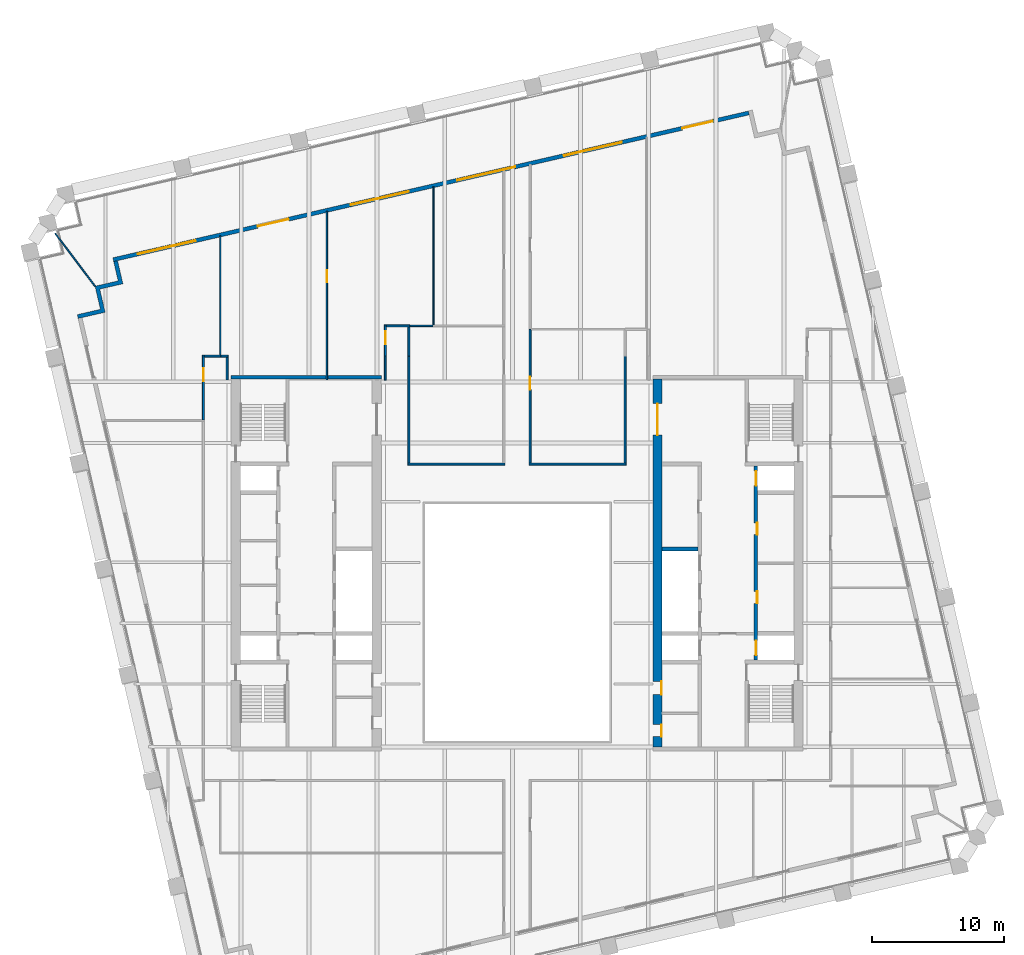
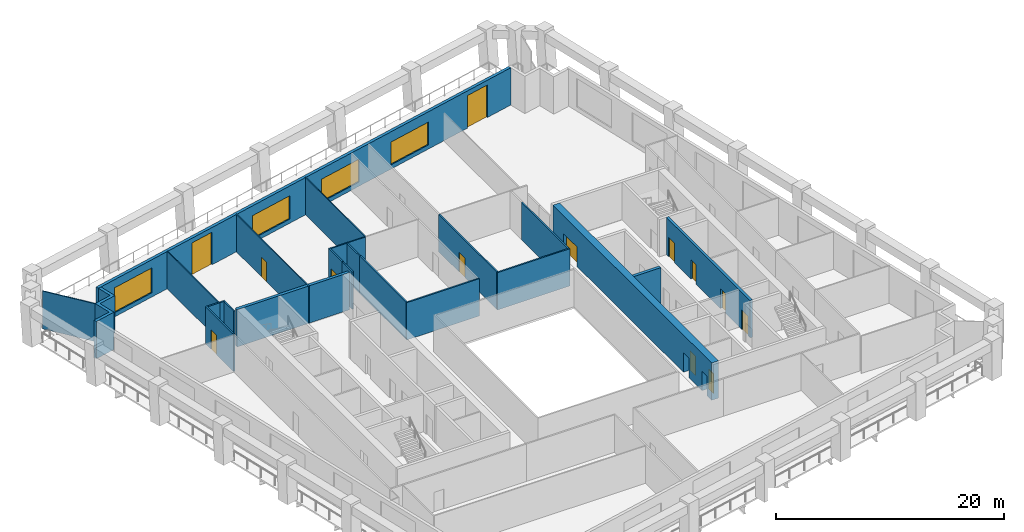
# One storey, part 6 of 10: 24 walls, 13 doors, 4 windows, 17 openings.
"""IFC4 building model written with IfcOpenShell, lengths in metres."""

from ifc_helpers import new_model, si_unit, direction, frame, frame_2d, origin, place, context, subcontext, project, spatial, polyline, rectangle, outline, extrude, material, layer, layer_set, type_object, element, fill, save


model = new_model("IFC4")

# Units and contexts
model_context = context("Model", 3, precision=1e-05, world=origin(), true_north=direction((0.0, 1.0)))
body_context = subcontext(model_context, "Body", "Model", "MODEL_VIEW")
ifc_project = project(units=[si_unit("LENGTHUNIT", "METRE"), si_unit("AREAUNIT", "SQUARE_METRE"), si_unit("VOLUMEUNIT", "CUBIC_METRE"), si_unit("PLANEANGLEUNIT", "RADIAN"), si_unit("MASSUNIT", "GRAM", prefix="KILO")], contexts=[model_context])

# Site, building, storey
site_placement = place(None, origin())
site = spatial("IfcSite", under=ifc_project, at=site_placement, CompositionType="ELEMENT")
building_placement = place(site_placement, origin())
building = spatial("IfcBuilding", under=site, at=building_placement, Name="Ogive Exchange Tower", CompositionType="ELEMENT")
storey_placement = place(building_placement, frame((0.0, 0.0, 201.0)))
storey = spatial("IfcBuildingStorey", under=building, at=storey_placement, Name="L44", CompositionType="ELEMENT", Elevation=201.0)

# Wall, opening, door
ifc_material_1 = material(Name="Fire partition EI 60 150")
ifc_layer_1 = layer(ifc_material_1, 0.14990234375)
ifc_layer_set_1 = layer_set([ifc_layer_1], Name="Fire partition EI 60 150")
wall_type_1 = type_object("IfcWallType", Name="Fire partition EI 60 150", PredefinedType="PARTITIONING", material=ifc_layer_set_1)
wall_1_placement = place(storey_placement, frame((-23.800048828125, 22.360107421875, 0.0), z_axis=(0.0, 0.0, 1.0), x_axis=(0.0, 1.0, 0.0)))
wall_1 = element("IfcWall", 1, at=wall_1_placement, inside=storey, type_object=wall_type_1, Name="L44-PWL-004", PredefinedType="PARTITIONING", context=body_context, shape_type="SweptSolid", body=[
    extrude(rectangle(XDim=4.914794921875, YDim=0.14990234375, at=frame_2d((2.45751953125, 0.0))), origin(), (0.0, 0.0, 1.0), 4.0),
])
opening_1_placement = place(wall_1_placement, frame((2.93994140625, 0.0, 0.0)))
opening_1 = element("IfcOpeningElement", 2, at=opening_1_placement, cuts=wall_1, Name="Opening L44-I06", PredefinedType="OPENING", context=body_context, shape_type="SweptSolid", body=[
    extrude(rectangle(XDim=1.0, YDim=2.10009765625, at=frame_2d((0.5, 1.050048828125))), frame((0.0, 0.0849609375, 0.0), z_axis=(0.0, -1.0, 0.0), x_axis=(1.0, 0.0, 0.0)), (0.0, 0.0, 1.0), 0.169921875),
])
ifc_material_2 = material(Name="Fire door FD 30S 1000 x 2100")
door_type_1 = type_object("IfcDoorType", Name="Fire door FD 30S 1000 x 2100", OperationType="NOTDEFINED", PredefinedType="DOOR", material=ifc_material_2)
door_1_placement = place(opening_1_placement, origin())
door_1 = element("IfcDoor", 3, at=door_1_placement, inside=storey, type_object=door_type_1, Name="L44-IDR-006", ObjectType="DT3", OperationType="SINGLE_SWING_RIGHT", OverallHeight=2.10009765625, OverallWidth=1.0, PredefinedType="DOOR", context=body_context, shape_type="SweptSolid", body=[
    extrude(rectangle(XDim=1.0, YDim=2.10009765625, at=frame_2d((0.5, 1.050048828125))), frame((0.0, 0.02490234375, 0.0), z_axis=(0.0, -1.0, 0.0), x_axis=(1.0, 0.0, 0.0)), (0.0, 0.0, 1.0), 0.050048828125),
])
fill(opening_1, door_1)

# Walls
wall_2_placement = place(storey_placement, frame((-23.72509765625, 27.199951171875, 0.0), z_axis=(0.0, 0.0, 1.0), x_axis=(1.0, 0.0, 0.0)))
element("IfcWall", 4, at=wall_2_placement, inside=storey, type_object=wall_type_1, Name="L44-PWL-005", PredefinedType="PARTITIONING", context=body_context, shape_type="SweptSolid", body=[
    extrude(rectangle(XDim=1.255126953125, YDim=0.14990234375, at=frame_2d((0.62744140625, 0.0))), origin(), (0.0, 0.0, 1.0), 4.0),
])
wall_3_placement = place(storey_placement, frame((-22.469970703125, 27.199951171875, 0.0), z_axis=(0.0, 0.0, 1.0), x_axis=(1.0, 0.0, 0.0)))
element("IfcWall", 5, at=wall_3_placement, inside=storey, type_object=wall_type_1, Name="L44-PWL-010", PredefinedType="PARTITIONING", context=body_context, shape_type="SweptSolid", body=[
    extrude(rectangle(XDim=0.544921875, YDim=0.14990234375, at=frame_2d((0.2724609375, 0.0))), origin(), (0.0, 0.0, 1.0), 4.0),
])
wall_4_placement = place(storey_placement, frame((-22.0, 27.125, 0.0), z_axis=(0.0, 0.0, 1.0), x_axis=(0.0, -1.0, 0.0)))
element("IfcWall", 6, at=wall_4_placement, inside=storey, type_object=wall_type_1, Name="L44-PWL-011", PredefinedType="PARTITIONING", context=body_context, shape_type="SweptSolid", body=[
    extrude(rectangle(XDim=1.72509765625, YDim=0.14990234375, at=frame_2d((0.862548828125, 0.0))), origin(), (0.0, 0.0, 1.0), 4.0),
])
wall_5_placement = place(storey_placement, frame((-10.0, 25.389892578125, 0.0), z_axis=(0.0, 0.0, 1.0), x_axis=(0.0, 1.0, 0.0)))
element("IfcWall", 7, at=wall_5_placement, inside=storey, type_object=wall_type_1, Name="L44-PWL-014", PredefinedType="PARTITIONING", context=body_context, shape_type="SweptSolid", body=[
    extrude(rectangle(XDim=1.81005859375, YDim=0.14990234375, at=frame_2d((0.905029296875, 0.0))), origin(), (0.0, 0.0, 1.0), 4.0),
])

# Wall, opening, door
wall_6_placement = place(storey_placement, frame((-9.989990234375, 27.199951171875, 0.0), z_axis=(0.0, 0.0, 1.0), x_axis=(0.0, 1.0, 0.0)))
wall_6 = element("IfcWall", 8, at=wall_6_placement, inside=storey, type_object=wall_type_1, Name="L44-PWL-015", PredefinedType="PARTITIONING", context=body_context, shape_type="SweptSolid", body=[
    extrude(rectangle(XDim=2.375, YDim=0.14990234375, at=frame_2d((1.1875, 0.0))), origin(), (0.0, 0.0, 1.0), 4.0),
])
opening_2_placement = place(wall_6_placement, frame((0.89990234375, 0.0, 0.0)))
opening_2 = element("IfcOpeningElement", 9, at=opening_2_placement, cuts=wall_6, Name="Opening L44-I03", PredefinedType="OPENING", context=body_context, shape_type="SweptSolid", body=[
    extrude(rectangle(XDim=1.0, YDim=2.10009765625, at=frame_2d((0.5, 1.050048828125))), frame((0.0, 0.0849609375, 0.0), z_axis=(0.0, -1.0, 0.0), x_axis=(1.0, 0.0, 0.0)), (0.0, 0.0, 1.0), 0.169921875),
])
door_2_placement = place(opening_2_placement, origin())
door_2 = element("IfcDoor", 10, at=door_2_placement, inside=storey, type_object=door_type_1, Name="L44-IDR-003", ObjectType="DT3", OperationType="SINGLE_SWING_LEFT", OverallHeight=2.10009765625, OverallWidth=1.0, PredefinedType="DOOR", context=body_context, shape_type="SweptSolid", body=[
    extrude(rectangle(XDim=1.0, YDim=2.10009765625, at=frame_2d((0.5, 1.050048828125))), frame((0.0, 0.02490234375, 0.0), z_axis=(0.0, -1.0, 0.0), x_axis=(1.0, 0.0, 0.0)), (0.0, 0.0, 1.0), 0.050048828125),
])
fill(opening_2, door_2)

# Walls
wall_7_placement = place(storey_placement, frame((-9.9150390625, 29.5, 0.0), z_axis=(0.0, 0.0, 1.0), x_axis=(1.0, 0.0, 0.0)))
element("IfcWall", 11, at=wall_7_placement, inside=storey, type_object=wall_type_1, Name="L44-PWL-016", PredefinedType="PARTITIONING", context=body_context, shape_type="SweptSolid", body=[
    extrude(rectangle(XDim=1.780029296875, YDim=0.14990234375, at=frame_2d((0.89013671875, 0.0))), origin(), (0.0, 0.0, 1.0), 4.0),
])
wall_8_placement = place(storey_placement, frame((-8.2099609375, 29.425048828125, 0.0), z_axis=(0.0, 0.0, 1.0), x_axis=(0.0, -1.0, 0.0)))
element("IfcWall", 12, at=wall_8_placement, inside=storey, type_object=wall_type_1, Name="L44-PWL-017", PredefinedType="PARTITIONING", context=body_context, shape_type="SweptSolid", body=[
    extrude(rectangle(XDim=2.22509765625, YDim=0.14990234375, at=frame_2d((1.112548828125, 0.0))), origin(), (0.0, 0.0, 1.0), 4.0),
])
wall_9_placement = place(storey_placement, frame((-8.27490234375, 19.0, 0.0), z_axis=(0.0, 0.0, 1.0), x_axis=(1.0, 0.0, 0.0)))
element("IfcWall", 13, at=wall_9_placement, inside=storey, type_object=wall_type_1, Name="L44-PWL-019", PredefinedType="PARTITIONING", context=body_context, shape_type="SweptSolid", body=[
    extrude(rectangle(XDim=7.35986328125, YDim=0.14990234375, at=frame_2d((3.679931640625, 0.0))), origin(), (0.0, 0.0, 1.0), 4.0),
])
wall_10_placement = place(storey_placement, frame((-8.199951171875, 27.199951171875, 0.0), z_axis=(0.0, 0.0, 1.0), x_axis=(0.0, -1.0, 0.0)))
element("IfcWall", 14, at=wall_10_placement, inside=storey, type_object=wall_type_1, Name="L44-PWL-020", PredefinedType="PARTITIONING", context=body_context, shape_type="SweptSolid", body=[
    extrude(rectangle(XDim=8.125, YDim=0.14990234375, at=frame_2d((4.0625, 0.0))), origin(), (0.0, 0.0, 1.0), 4.0),
])
wall_11_placement = place(storey_placement, frame((0.9150390625, 19.0, 0.0), z_axis=(0.0, 0.0, 1.0), x_axis=(1.0, 0.0, 0.0)))
element("IfcWall", 15, at=wall_11_placement, inside=storey, type_object=wall_type_1, Name="L44-PWL-030", PredefinedType="PARTITIONING", context=body_context, shape_type="SweptSolid", body=[
    extrude(rectangle(XDim=7.35986328125, YDim=0.14990234375, at=frame_2d((3.679931640625, 0.0))), origin(), (0.0, 0.0, 1.0), 4.0),
])

# Wall, opening, door
wall_12_placement = place(storey_placement, frame((0.989990234375, 29.239990234375, 0.0), z_axis=(0.0, 0.0, 1.0), x_axis=(0.0, -1.0, 0.0)))
wall_12 = element("IfcWall", 16, at=wall_12_placement, inside=storey, type_object=wall_type_1, Name="L44-PWL-031", PredefinedType="PARTITIONING", context=body_context, shape_type="SweptSolid", body=[
    extrude(rectangle(XDim=10.1650390625, YDim=0.14990234375, at=frame_2d((5.08251953125, 0.0))), origin(), (0.0, 0.0, 1.0), 4.0),
])
opening_3_placement = place(wall_12_placement, frame((3.590087890625, 0.0, 0.0)))
opening_3 = element("IfcOpeningElement", 17, at=opening_3_placement, cuts=wall_12, Name="Opening L44-I09", PredefinedType="OPENING", context=body_context, shape_type="SweptSolid", body=[
    extrude(rectangle(XDim=1.0, YDim=2.10009765625, at=frame_2d((0.5, 1.050048828125))), frame((0.0, 0.0849609375, 0.0), z_axis=(0.0, -1.0, 0.0), x_axis=(1.0, 0.0, 0.0)), (0.0, 0.0, 1.0), 0.169921875),
])
door_3_placement = place(opening_3_placement, origin())
door_3 = element("IfcDoor", 18, at=door_3_placement, inside=storey, type_object=door_type_1, Name="L44-IDR-009", ObjectType="DT3", OperationType="SINGLE_SWING_RIGHT", OverallHeight=2.10009765625, OverallWidth=1.0, PredefinedType="DOOR", context=body_context, shape_type="SweptSolid", body=[
    extrude(rectangle(XDim=1.0, YDim=2.10009765625, at=frame_2d((0.5, 1.050048828125))), frame((0.0, 0.02490234375, 0.0), z_axis=(0.0, -1.0, 0.0), x_axis=(1.0, 0.0, 0.0)), (0.0, 0.0, 1.0), 0.050048828125),
])
fill(opening_3, door_3)

# Wall
wall_13_placement = place(storey_placement, frame((8.199951171875, 19.074951171875, 0.0), z_axis=(0.0, 0.0, 1.0), x_axis=(0.0, 1.0, 0.0)))
element("IfcWall", 19, at=wall_13_placement, inside=storey, type_object=wall_type_1, Name="L44-PWL-034", PredefinedType="PARTITIONING", context=body_context, shape_type="SweptSolid", body=[
    extrude(rectangle(XDim=8.125, YDim=0.14990234375, at=frame_2d((4.0625, 0.0))), origin(), (0.0, 0.0, 1.0), 4.0),
])

# Wall, openings, doors, windows
ifc_material_3 = material(Name="Precast concrete C40/50", Category="concrete")
ifc_layer_2 = layer(ifc_material_3, 0.300048828125)
ifc_layer_set_2 = layer_set([ifc_layer_2], Name="Limestone-faced wall 300")
wall_type_2 = type_object("IfcWallType", Name="Limestone-faced wall 300", PredefinedType="STANDARD", material=ifc_layer_set_2)
wall_14_placement = place(storey_placement, frame((17.592041015625, 45.6572265625, 0.0), z_axis=(0.0, 0.0, 1.0), x_axis=(-0.974370243697, -0.224950279389, 0.0)))
wall_14 = element("IfcWall", 20, at=wall_14_placement, inside=storey, type_object=wall_type_2, Name="External wall N3", PredefinedType="STANDARD", context=body_context, shape_type="SweptSolid", body=[
    extrude(rectangle(XDim=49.499755859375, YDim=0.300048828125, at=frame_2d((24.75, 0.0))), origin(), (0.0, 0.0, 1.0), 4.0),
])
opening_4_placement = place(wall_14_placement, frame((2.800048828125, 0.0, 0.0)))
opening_4 = element("IfcOpeningElement", 21, at=opening_4_placement, cuts=wall_14, Name="Opening D1", PredefinedType="OPENING", context=body_context, shape_type="SweptSolid", body=[
    extrude(rectangle(XDim=2.39990234375, YDim=3.5, at=frame_2d((1.199951171875, 1.75))), frame((0.0, 0.159912109375, 0.0), z_axis=(0.0, -1.0, 0.0), x_axis=(1.0, 0.0, 0.0)), (0.0, 0.0, 1.0), 0.320068359375),
])
opening_5_placement = place(wall_14_placement, frame((9.89990234375, 0.0, 0.449951171875)))
opening_5 = element("IfcOpeningElement", 22, at=opening_5_placement, cuts=wall_14, Name="Opening W1Q", PredefinedType="OPENING", context=body_context, shape_type="SweptSolid", body=[
    extrude(rectangle(XDim=4.5, YDim=2.449951171875, at=frame_2d((2.25, 1.22509765625))), frame((0.0, 0.159912109375, 0.0), z_axis=(0.0, -1.0, 0.0), x_axis=(1.0, 0.0, 0.0)), (0.0, 0.0, 1.0), 0.320068359375),
])
opening_6_placement = place(wall_14_placement, frame((18.199951171875, 0.0, 0.449951171875)))
opening_6 = element("IfcOpeningElement", 23, at=opening_6_placement, cuts=wall_14, Name="Opening W1Q", PredefinedType="OPENING", context=body_context, shape_type="SweptSolid", body=[
    extrude(rectangle(XDim=4.5, YDim=2.449951171875, at=frame_2d((2.25, 1.22509765625))), frame((0.0, 0.159912109375, 0.0), z_axis=(0.0, -1.0, 0.0), x_axis=(1.0, 0.0, 0.0)), (0.0, 0.0, 1.0), 0.320068359375),
])
opening_7_placement = place(wall_14_placement, frame((26.5, 0.0, 0.449951171875)))
opening_7 = element("IfcOpeningElement", 24, at=opening_7_placement, cuts=wall_14, Name="Opening W1O", PredefinedType="OPENING", context=body_context, shape_type="SweptSolid", body=[
    extrude(rectangle(XDim=4.5, YDim=2.5, at=frame_2d((2.25, 1.25))), frame((0.0, 0.159912109375, 0.0), z_axis=(0.0, -1.0, 0.0), x_axis=(1.0, 0.0, 0.0)), (0.0, 0.0, 1.0), 0.320068359375),
])
opening_8_placement = place(wall_14_placement, frame((35.85009765625, 0.0, 0.0)))
opening_8 = element("IfcOpeningElement", 25, at=opening_8_placement, cuts=wall_14, Name="Opening D1", PredefinedType="OPENING", context=body_context, shape_type="SweptSolid", body=[
    extrude(rectangle(XDim=2.39990234375, YDim=3.5, at=frame_2d((1.199951171875, 1.75))), frame((0.0, 0.159912109375, 0.0), z_axis=(0.0, -1.0, 0.0), x_axis=(1.0, 0.0, 0.0)), (0.0, 0.0, 1.0), 0.320068359375),
])
opening_9_placement = place(wall_14_placement, frame((43.10009765625, 0.0, 0.449951171875)))
opening_9 = element("IfcOpeningElement", 26, at=opening_9_placement, cuts=wall_14, Name="Opening W1J", PredefinedType="OPENING", context=body_context, shape_type="SweptSolid", body=[
    extrude(rectangle(XDim=4.5, YDim=2.675048828125, at=frame_2d((2.25, 1.33740234375))), frame((0.0, 0.159912109375, 0.0), z_axis=(0.0, -1.0, 0.0), x_axis=(1.0, 0.0, 0.0)), (0.0, 0.0, 1.0), 0.320068359375),
])
ifc_material_4 = material(Name="Clear glass in bronze frame", Category="glass")
door_type_2 = type_object("IfcDoorType", Name="Sliding loggia door 2400 x 3500", OperationType="DOUBLE_DOOR_SLIDING", PredefinedType="DOOR", material=ifc_material_4)
door_4_placement = place(opening_4_placement, origin())
door_4 = element("IfcDoor", 27, at=door_4_placement, inside=storey, type_object=door_type_2, Name="Loggia door N00", OperationType="DOUBLE_DOOR_SLIDING", OverallHeight=3.5, OverallWidth=2.39990234375, PredefinedType="DOOR", context=body_context, shape_type="SweptSolid", body=[
    extrude(rectangle(XDim=2.39990234375, YDim=3.5, at=frame_2d((1.199951171875, 1.75))), frame((0.0, 0.02490234375, 0.0), z_axis=(0.0, -1.0, 0.0), x_axis=(1.0, 0.0, 0.0)), (0.0, 0.0, 1.0), 0.050048828125),
])
fill(opening_4, door_4)
door_5_placement = place(opening_8_placement, origin())
door_5 = element("IfcDoor", 28, at=door_5_placement, inside=storey, type_object=door_type_2, Name="Loggia door N04", OperationType="DOUBLE_DOOR_SLIDING", OverallHeight=3.5, OverallWidth=2.39990234375, PredefinedType="DOOR", context=body_context, shape_type="SweptSolid", body=[
    extrude(rectangle(XDim=2.39990234375, YDim=3.5, at=frame_2d((1.199951171875, 1.75))), frame((0.0, 0.02490234375, 0.0), z_axis=(0.0, -1.0, 0.0), x_axis=(1.0, 0.0, 0.0)), (0.0, 0.0, 1.0), 0.050048828125),
])
fill(opening_8, door_5)
window_type_1 = type_object("IfcWindowType", Name="Twin lancet window 4500 x 2450", PartitioningType="DOUBLE_PANEL_VERTICAL", PredefinedType="WINDOW", material=ifc_material_4)
window_1_placement = place(opening_5_placement, origin())
window_1 = element("IfcWindow", 29, at=window_1_placement, inside=storey, type_object=window_type_1, Name="Window N01", OverallHeight=2.449951171875, OverallWidth=4.5, PartitioningType="DOUBLE_PANEL_VERTICAL", PredefinedType="WINDOW", context=body_context, shape_type="SweptSolid", body=[
    extrude(rectangle(XDim=4.5, YDim=2.449951171875, at=frame_2d((2.25, 1.22509765625))), frame((0.0, 0.030029296875, 0.0), z_axis=(0.0, -1.0, 0.0), x_axis=(1.0, 0.0, 0.0)), (0.0, 0.0, 1.0), 0.06005859375),
])
fill(opening_5, window_1)
window_2_placement = place(opening_6_placement, origin())
window_2 = element("IfcWindow", 30, at=window_2_placement, inside=storey, type_object=window_type_1, Name="Window N02", OverallHeight=2.449951171875, OverallWidth=4.5, PartitioningType="DOUBLE_PANEL_VERTICAL", PredefinedType="WINDOW", context=body_context, shape_type="SweptSolid", body=[
    extrude(rectangle(XDim=4.5, YDim=2.449951171875, at=frame_2d((2.25, 1.22509765625))), frame((0.0, 0.030029296875, 0.0), z_axis=(0.0, -1.0, 0.0), x_axis=(1.0, 0.0, 0.0)), (0.0, 0.0, 1.0), 0.06005859375),
])
fill(opening_6, window_2)
window_type_2 = type_object("IfcWindowType", Name="Twin lancet window 4500 x 2500", PartitioningType="DOUBLE_PANEL_VERTICAL", PredefinedType="WINDOW", material=ifc_material_4)
window_3_placement = place(opening_7_placement, origin())
window_3 = element("IfcWindow", 31, at=window_3_placement, inside=storey, type_object=window_type_2, Name="Window N03", OverallHeight=2.5, OverallWidth=4.5, PartitioningType="DOUBLE_PANEL_VERTICAL", PredefinedType="WINDOW", context=body_context, shape_type="SweptSolid", body=[
    extrude(rectangle(XDim=4.5, YDim=2.5, at=frame_2d((2.25, 1.25))), frame((0.0, 0.030029296875, 0.0), z_axis=(0.0, -1.0, 0.0), x_axis=(1.0, 0.0, 0.0)), (0.0, 0.0, 1.0), 0.06005859375),
])
fill(opening_7, window_3)
window_type_3 = type_object("IfcWindowType", Name="Twin lancet window 4500 x 2675", PartitioningType="DOUBLE_PANEL_VERTICAL", PredefinedType="WINDOW", material=ifc_material_4)
window_4_placement = place(opening_9_placement, origin())
window_4 = element("IfcWindow", 32, at=window_4_placement, inside=storey, type_object=window_type_3, Name="Window N05", OverallHeight=2.675048828125, OverallWidth=4.5, PartitioningType="DOUBLE_PANEL_VERTICAL", PredefinedType="WINDOW", context=body_context, shape_type="SweptSolid", body=[
    extrude(rectangle(XDim=4.5, YDim=2.675048828125, at=frame_2d((2.25, 1.33740234375))), frame((0.0, 0.030029296875, 0.0), z_axis=(0.0, -1.0, 0.0), x_axis=(1.0, 0.0, 0.0)), (0.0, 0.0, 1.0), 0.06005859375),
])
fill(opening_9, window_4)

# Walls
wall_15_placement = place(storey_placement, origin())
element("IfcWall", 33, at=wall_15_placement, inside=storey, type_object=wall_type_2, Name="External corner wall C3", PredefinedType="STANDARD", context=body_context, shape_type="SweptSolid", body=[
    extrude(outline(polyline([(-31.616943359375, 30.755615234375), (-32.02197265625, 32.509521484375), (-30.26806640625, 32.914306640625), (-30.60546875, 34.3759765625), (-30.31298828125, 34.443359375), (-29.908203125, 32.689697265625), (-31.662109375, 32.28466796875), (-31.257080078125, 30.53076171875), (-33.30322265625, 30.058349609375), (-33.370849609375, 30.3505859375), (-31.616943359375, 30.755615234375)])), origin(), (0.0, 0.0, 1.0), 4.0),
])
ifc_material_5 = material(Name="Laminated safety glass in steel frame", Category="steel")
ifc_layer_3 = layer(ifc_material_5, 0.10009765625)
ifc_layer_set_3 = layer_set([ifc_layer_3], Name="Loggia end screen 100")
wall_type_3 = type_object("IfcWallType", Name="Loggia end screen 100", PredefinedType="STANDARD", material=ifc_layer_set_3)
wall_16_placement = place(storey_placement, frame((-32.02197265625, 32.509521484375, -0.050048828125), z_axis=(0.0, 0.0, 1.0), x_axis=(-0.602651359782, 0.798004598077, 0.0)))
element("IfcWall", 34, at=wall_16_placement, inside=storey, type_object=wall_type_3, Name="Loggia end screen C3", PredefinedType="STANDARD", context=body_context, shape_type="SweptSolid", body=[
    extrude(rectangle(XDim=5.017822265625, YDim=0.10009765625, at=frame_2d((2.5087890625, 0.0))), origin(), (0.0, 0.0, 1.0), 4.050048828125),
])
ifc_material_6 = material(Name="Partition 100 gypsum")
ifc_layer_4 = layer(ifc_material_6, 0.10009765625)
ifc_layer_set_4 = layer_set([ifc_layer_4], Name="Partition 100 gypsum")
wall_type_4 = type_object("IfcWallType", Name="Partition 100 gypsum", PredefinedType="PARTITIONING", material=ifc_layer_set_4)
wall_17_placement = place(storey_placement, frame((-22.52001953125, 27.27490234375, 0.0), z_axis=(0.0, 0.0, 1.0), x_axis=(0.0, 1.0, 0.0)))
element("IfcWall", 35, at=wall_17_placement, inside=storey, type_object=wall_type_4, Name="L44-PWL-009", PredefinedType="PARTITIONING", context=body_context, shape_type="SweptSolid", body=[
    extrude(rectangle(XDim=9.050048828125, YDim=0.10009765625, at=frame_2d((4.52490234375, 0.0))), origin(), (0.0, 0.0, 1.0), 4.0),
])

# Wall, opening, door
wall_18_placement = place(storey_placement, frame((-14.429931640625, 38.193115234375, 0.0), z_axis=(0.0, 0.0, 1.0), x_axis=(0.0, -1.0, 0.0)))
wall_18 = element("IfcWall", 36, at=wall_18_placement, inside=storey, type_object=wall_type_4, Name="L44-PWL-012", PredefinedType="PARTITIONING", context=body_context, shape_type="SweptSolid", body=[
    extrude(rectangle(XDim=12.793212890625, YDim=0.10009765625, at=frame_2d((6.396484375, 0.0))), origin(), (0.0, 0.0, 1.0), 4.0),
])
opening_10_placement = place(wall_18_placement, frame((4.472900390625, 0.0, 0.0)))
opening_10 = element("IfcOpeningElement", 37, at=opening_10_placement, cuts=wall_18, Name="Opening L44-I01", PredefinedType="OPENING", context=body_context, shape_type="SweptSolid", body=[
    extrude(rectangle(XDim=0.89990234375, YDim=2.10009765625, at=frame_2d((0.449951171875, 1.050048828125))), frame((0.0, 0.06005859375, 0.0), z_axis=(0.0, -1.0, 0.0), x_axis=(1.0, 0.0, 0.0)), (0.0, 0.0, 1.0), 0.1201171875),
])
ifc_material_7 = material(Name="Door 900 x 2100")
door_type_3 = type_object("IfcDoorType", Name="Door 900 x 2100", OperationType="NOTDEFINED", PredefinedType="DOOR", material=ifc_material_7)
door_6_placement = place(opening_10_placement, frame((0.89990234375, 0.0, 0.0), z_axis=(0.0, 0.0, 1.0), x_axis=(-1.0, 0.0, 0.0)))
door_6 = element("IfcDoor", 38, at=door_6_placement, inside=storey, type_object=door_type_3, Name="L44-IDR-001", ObjectType="DT1", OperationType="SINGLE_SWING_RIGHT", OverallHeight=2.10009765625, OverallWidth=0.89990234375, PredefinedType="DOOR", context=body_context, shape_type="SweptSolid", body=[
    extrude(rectangle(XDim=0.89990234375, YDim=2.10009765625, at=frame_2d((0.449951171875, 1.050048828125))), frame((0.0, 0.02490234375, 0.0), z_axis=(0.0, -1.0, 0.0), x_axis=(1.0, 0.0, 0.0)), (0.0, 0.0, 1.0), 0.050048828125),
])
fill(opening_10, door_6)

# Walls
wall_19_placement = place(storey_placement, frame((-8.135009765625, 29.5, 0.0), z_axis=(0.0, 0.0, 1.0), x_axis=(1.0, 0.0, 0.0)))
element("IfcWall", 39, at=wall_19_placement, inside=storey, type_object=wall_type_4, Name="L44-PWL-018", PredefinedType="PARTITIONING", context=body_context, shape_type="SweptSolid", body=[
    extrude(rectangle(XDim=1.7451171875, YDim=0.10009765625, at=frame_2d((0.87255859375, 0.0))), origin(), (0.0, 0.0, 1.0), 4.0),
])
wall_20_placement = place(storey_placement, frame((-6.340087890625, 40.06103515625, 0.0), z_axis=(0.0, 0.0, 1.0), x_axis=(0.0, -1.0, 0.0)))
element("IfcWall", 40, at=wall_20_placement, inside=storey, type_object=wall_type_4, Name="L44-PWL-022", PredefinedType="PARTITIONING", context=body_context, shape_type="SweptSolid", body=[
    extrude(rectangle(XDim=10.510986328125, YDim=0.10009765625, at=frame_2d((5.25537109375, 0.0))), origin(), (0.0, 0.0, 1.0), 4.0),
])

# Wall, openings, doors
ifc_material_8 = material(Name="Concrete C70/85", Category="concrete")
ifc_layer_5 = layer(ifc_material_8, 0.25)
ifc_layer_set_5 = layer_set([ifc_layer_5], Name="RC core wall 250 C70/85")
wall_type_5 = type_object("IfcWallType", Name="RC core wall 250 C70/85", PredefinedType="SHEAR", material=ifc_layer_set_5)
wall_21_placement = place(storey_placement, frame((18.125, 4.14990234375, 0.0), z_axis=(0.0, 0.0, 1.0), x_axis=(0.0, 1.0, 0.0)))
wall_21 = element("IfcWall", 41, at=wall_21_placement, inside=storey, type_object=wall_type_5, Name="E row A front wall", PredefinedType="SHEAR", context=body_context, shape_type="SweptSolid", body=[
    extrude(rectangle(XDim=14.7001953125, YDim=0.25, at=frame_2d((7.35009765625, 0.0))), origin(), (0.0, 0.0, 1.0), 4.0),
])
opening_11_placement = place(wall_21_placement, frame((4.29638671875, 0.0, 0.0)))
opening_11 = element("IfcOpeningElement", 42, at=opening_11_placement, cuts=wall_21, Name="Opening L44-C19", PredefinedType="OPENING", context=body_context, shape_type="SweptSolid", body=[
    extrude(rectangle(XDim=0.89990234375, YDim=2.10009765625, at=frame_2d((0.449951171875, 1.050048828125))), frame((0.0, 0.135009765625, 0.0), z_axis=(0.0, -1.0, 0.0), x_axis=(1.0, 0.0, 0.0)), (0.0, 0.0, 1.0), 0.27001953125),
])
opening_12_placement = place(wall_21_placement, frame((9.503662109375, 0.0, 0.0)))
opening_12 = element("IfcOpeningElement", 43, at=opening_12_placement, cuts=wall_21, Name="Opening L44-C20", PredefinedType="OPENING", context=body_context, shape_type="SweptSolid", body=[
    extrude(rectangle(XDim=0.89990234375, YDim=2.10009765625, at=frame_2d((0.449951171875, 1.050048828125))), frame((0.0, 0.135009765625, 0.0), z_axis=(0.0, -1.0, 0.0), x_axis=(1.0, 0.0, 0.0)), (0.0, 0.0, 1.0), 0.27001953125),
])
opening_13_placement = place(wall_21_placement, frame((0.371337890625, 0.0, 0.0)))
opening_13 = element("IfcOpeningElement", 44, at=opening_13_placement, cuts=wall_21, Name="Opening L44-C21", PredefinedType="OPENING", context=body_context, shape_type="SweptSolid", body=[
    extrude(rectangle(XDim=1.10009765625, YDim=2.10009765625, at=frame_2d((0.550048828125, 1.050048828125))), frame((0.0, 0.135009765625, 0.0), z_axis=(0.0, -1.0, 0.0), x_axis=(1.0, 0.0, 0.0)), (0.0, 0.0, 1.0), 0.27001953125),
])
opening_14_placement = place(wall_21_placement, frame((13.228515625, 0.0, 0.0)))
opening_14 = element("IfcOpeningElement", 45, at=opening_14_placement, cuts=wall_21, Name="Opening L44-C22", PredefinedType="OPENING", context=body_context, shape_type="SweptSolid", body=[
    extrude(rectangle(XDim=1.10009765625, YDim=2.10009765625, at=frame_2d((0.550048828125, 1.050048828125))), frame((0.0, 0.135009765625, 0.0), z_axis=(0.0, -1.0, 0.0), x_axis=(1.0, 0.0, 0.0)), (0.0, 0.0, 1.0), 0.27001953125),
])
ifc_material_9 = material(Name="Timber fire door", Category="wood")
door_type_4 = type_object("IfcDoorType", Name="Core room door FD30S 900 x 2100", OperationType="NOTDEFINED", PredefinedType="DOOR", material=ifc_material_9)
door_7_placement = place(opening_12_placement, frame((0.89990234375, -0.2001953125, 0.0), z_axis=(0.0, 0.0, 1.0), x_axis=(-1.0, 0.0, 0.0)))
door_7 = element("IfcDoor", 46, at=door_7_placement, inside=storey, type_object=door_type_4, Name="Core room door", ObjectType="CD6", OperationType="SINGLE_SWING_RIGHT", OverallHeight=2.10009765625, OverallWidth=0.89990234375, PredefinedType="DOOR", context=body_context, shape_type="SweptSolid", body=[
    extrude(rectangle(XDim=0.89990234375, YDim=2.10009765625, at=frame_2d((0.449951171875, 1.050048828125))), frame((0.0, -0.0751953125, 0.0), z_axis=(0.0, -1.0, 0.0), x_axis=(1.0, 0.0, 0.0)), (0.0, 0.0, 1.0), 0.050048828125),
])
fill(opening_12, door_7)
ifc_material_10 = material(Name="Stainless steel", Category="steel")
door_type_5 = type_object("IfcDoorType", Name="Lift landing door FD90 1100 x 2100", OperationType="SLIDING_TO_LEFT", PredefinedType="DOOR", material=ifc_material_10)
door_8_placement = place(opening_13_placement, origin())
door_8 = element("IfcDoor", 47, at=door_8_placement, inside=storey, type_object=door_type_5, Name="Lift landing door FF2", ObjectType="LD", OperationType="SLIDING_TO_LEFT", OverallHeight=2.10009765625, OverallWidth=1.10009765625, PredefinedType="DOOR", context=body_context, shape_type="SweptSolid", body=[
    extrude(rectangle(XDim=1.10009765625, YDim=2.10009765625, at=frame_2d((0.550048828125, 1.050048828125))), frame((0.0, 0.02490234375, 0.0), z_axis=(0.0, -1.0, 0.0), x_axis=(1.0, 0.0, 0.0)), (0.0, 0.0, 1.0), 0.050048828125),
])
fill(opening_13, door_8)
door_9_placement = place(opening_14_placement, origin())
door_9 = element("IfcDoor", 48, at=door_9_placement, inside=storey, type_object=door_type_5, Name="Lift landing door E-SH2", ObjectType="LD", OperationType="SLIDING_TO_LEFT", OverallHeight=2.10009765625, OverallWidth=1.10009765625, PredefinedType="DOOR", context=body_context, shape_type="SweptSolid", body=[
    extrude(rectangle(XDim=1.10009765625, YDim=2.10009765625, at=frame_2d((0.550048828125, 1.050048828125))), frame((0.0, 0.02490234375, 0.0), z_axis=(0.0, -1.0, 0.0), x_axis=(1.0, 0.0, 0.0)), (0.0, 0.0, 1.0), 0.050048828125),
])
fill(opening_14, door_9)
ifc_material_11 = material(Name="Steel fire door", Category="steel")
door_type_6 = type_object("IfcDoorType", Name="Riser door FD60 900 x 2100", OperationType="NOTDEFINED", PredefinedType="DOOR", material=ifc_material_11)
door_10_placement = place(opening_11_placement, frame((0.89990234375, -0.2001953125, 0.0), z_axis=(0.0, 0.0, 1.0), x_axis=(-1.0, 0.0, 0.0)))
door_10 = element("IfcDoor", 49, at=door_10_placement, inside=storey, type_object=door_type_6, Name="Riser door", ObjectType="CD2", OperationType="SINGLE_SWING_LEFT", OverallHeight=2.10009765625, OverallWidth=0.89990234375, PredefinedType="DOOR", context=body_context, shape_type="SweptSolid", body=[
    extrude(rectangle(XDim=0.89990234375, YDim=2.10009765625, at=frame_2d((0.449951171875, 1.050048828125))), frame((0.0, -0.0751953125, 0.0), z_axis=(0.0, -1.0, 0.0), x_axis=(1.0, 0.0, 0.0)), (0.0, 0.0, 1.0), 0.050048828125),
])
fill(opening_11, door_10)

# Walls
ifc_layer_6 = layer(ifc_material_8, 0.300048828125)
ifc_layer_set_6 = layer_set([ifc_layer_6], Name="RC core wall 300 C70/85")
wall_type_6 = type_object("IfcWallType", Name="RC core wall 300 C70/85", PredefinedType="SHEAR", material=ifc_layer_set_6)
wall_22_placement = place(storey_placement, frame((-21.699951171875, 25.60009765625, 0.0), z_axis=(0.0, 0.0, 1.0), x_axis=(1.0, 0.0, 0.0)))
element("IfcWall", 50, at=wall_22_placement, inside=storey, type_object=wall_type_6, Name="W north end wall", PredefinedType="SHEAR", context=body_context, shape_type="SweptSolid", body=[
    extrude(rectangle(XDim=11.39990234375, YDim=0.300048828125, at=frame_2d((5.699951171875, 0.0))), origin(), (0.0, 0.0, 1.0), 4.0),
])
wall_23_placement = place(storey_placement, frame((11.0, 12.5712890625, 0.0), z_axis=(0.0, 0.0, 1.0), x_axis=(1.0, 0.0, 0.0)))
element("IfcWall", 51, at=wall_23_placement, inside=storey, type_object=wall_type_6, Name="E row B divider 4", PredefinedType="SHEAR", context=body_context, shape_type="SweptSolid", body=[
    extrude(rectangle(XDim=2.75, YDim=0.300048828125, at=frame_2d((1.375, 0.0))), origin(), (0.0, 0.0, 1.0), 4.0),
])

# Wall, openings, doors
ifc_layer_7 = layer(ifc_material_8, 0.699951171875)
ifc_layer_set_7 = layer_set([ifc_layer_7], Name="RC core wall 700 C70/85")
wall_type_7 = type_object("IfcWallType", Name="RC core wall 700 C70/85", PredefinedType="SHEAR", material=ifc_layer_set_7)
wall_24_placement = place(storey_placement, frame((10.64990234375, -2.449951171875, 0.0), z_axis=(0.0, 0.0, 1.0), x_axis=(0.0, 1.0, 0.0)))
wall_24 = element("IfcWall", 52, at=wall_24_placement, inside=storey, type_object=wall_type_7, Name="E inner wall", PredefinedType="SHEAR", context=body_context, shape_type="SweptSolid", body=[
    extrude(rectangle(XDim=27.89990234375, YDim=0.699951171875, at=frame_2d((13.949951171875, 0.0))), origin(), (0.0, 0.0, 1.0), 4.0),
])
opening_15_placement = place(wall_24_placement, frame((23.64990234375, 0.0, 0.0)))
opening_15 = element("IfcOpeningElement", 53, at=opening_15_placement, cuts=wall_24, Name="Opening L44-C29", PredefinedType="OPENING", context=body_context, shape_type="SweptSolid", body=[
    extrude(rectangle(XDim=2.39990234375, YDim=2.10009765625, at=frame_2d((1.199951171875, 1.050048828125))), frame((0.0, 0.35986328125, 0.0), z_axis=(0.0, -1.0, 0.0), x_axis=(1.0, 0.0, 0.0)), (0.0, 0.0, 1.0), 0.719970703125),
])
opening_16_placement = place(wall_24_placement, frame((0.78759765625, 0.0, 0.0)))
opening_16 = element("IfcOpeningElement", 54, at=opening_16_placement, cuts=wall_24, Name="Opening L44-C34", PredefinedType="OPENING", context=body_context, shape_type="SweptSolid", body=[
    extrude(rectangle(XDim=0.89990234375, YDim=2.10009765625, at=frame_2d((0.449951171875, 1.050048828125))), frame((0.0, 0.35986328125, 0.0), z_axis=(0.0, -1.0, 0.0), x_axis=(1.0, 0.0, 0.0)), (0.0, 0.0, 1.0), 0.719970703125),
])
opening_17_placement = place(wall_24_placement, frame((3.96240234375, 0.0, 0.0)))
opening_17 = element("IfcOpeningElement", 55, at=opening_17_placement, cuts=wall_24, Name="Opening L44-C35", PredefinedType="OPENING", context=body_context, shape_type="SweptSolid", body=[
    extrude(rectangle(XDim=1.0, YDim=2.10009765625, at=frame_2d((0.5, 1.050048828125))), frame((0.0, 0.35986328125, 0.0), z_axis=(0.0, -1.0, 0.0), x_axis=(1.0, 0.0, 0.0)), (0.0, 0.0, 1.0), 0.719970703125),
])
door_type_7 = type_object("IfcDoorType", Name="Accessible WC door FD30S 1000 x 2100", OperationType="NOTDEFINED", PredefinedType="DOOR", material=ifc_material_9)
door_11_placement = place(opening_17_placement, frame((1.0, -0.64990234375, 0.0), z_axis=(0.0, 0.0, 1.0), x_axis=(-1.0, 0.0, 0.0)))
door_11 = element("IfcDoor", 56, at=door_11_placement, inside=storey, type_object=door_type_7, Name="Accessible WC door", ObjectType="CD7", OperationType="SINGLE_SWING_RIGHT", OverallHeight=2.10009765625, OverallWidth=1.0, PredefinedType="DOOR", context=body_context, shape_type="SweptSolid", body=[
    extrude(rectangle(XDim=1.0, YDim=2.10009765625, at=frame_2d((0.5, 1.050048828125))), frame((0.0, -0.2998046875, 0.0), z_axis=(0.0, -1.0, 0.0), x_axis=(1.0, 0.0, 0.0)), (0.0, 0.0, 1.0), 0.050048828125),
])
fill(opening_17, door_11)
door_12_placement = place(opening_16_placement, frame((0.89990234375, -0.64990234375, 0.0), z_axis=(0.0, 0.0, 1.0), x_axis=(-1.0, 0.0, 0.0)))
door_12 = element("IfcDoor", 57, at=door_12_placement, inside=storey, type_object=door_type_4, Name="Core room door", ObjectType="CD6", OperationType="SINGLE_SWING_RIGHT", OverallHeight=2.10009765625, OverallWidth=0.89990234375, PredefinedType="DOOR", context=body_context, shape_type="SweptSolid", body=[
    extrude(rectangle(XDim=0.89990234375, YDim=2.10009765625, at=frame_2d((0.449951171875, 1.050048828125))), frame((0.0, -0.2998046875, 0.0), z_axis=(0.0, -1.0, 0.0), x_axis=(1.0, 0.0, 0.0)), (0.0, 0.0, 1.0), 0.050048828125),
])
fill(opening_16, door_12)
ifc_material_12 = material(Name="Glazed steel fire door", Category="steel")
door_type_8 = type_object("IfcDoorType", Name="Lift lobby double door FD60 2400 x 2100", OperationType="DOUBLE_DOOR_SINGLE_SWING", PredefinedType="DOOR", material=ifc_material_12)
door_13_placement = place(opening_15_placement, origin())
door_13 = element("IfcDoor", 58, at=door_13_placement, inside=storey, type_object=door_type_8, Name="Lift lobby double door", ObjectType="CD4", OperationType="DOUBLE_DOOR_SINGLE_SWING", OverallHeight=2.10009765625, OverallWidth=2.39990234375, PredefinedType="DOOR", context=body_context, shape_type="SweptSolid", body=[
    extrude(rectangle(XDim=2.39990234375, YDim=2.10009765625, at=frame_2d((1.199951171875, 1.050048828125))), frame((0.0, 0.02490234375, 0.0), z_axis=(0.0, -1.0, 0.0), x_axis=(1.0, 0.0, 0.0)), (0.0, 0.0, 1.0), 0.050048828125),
])
fill(opening_15, door_13)

save(model, "model.ifc")
